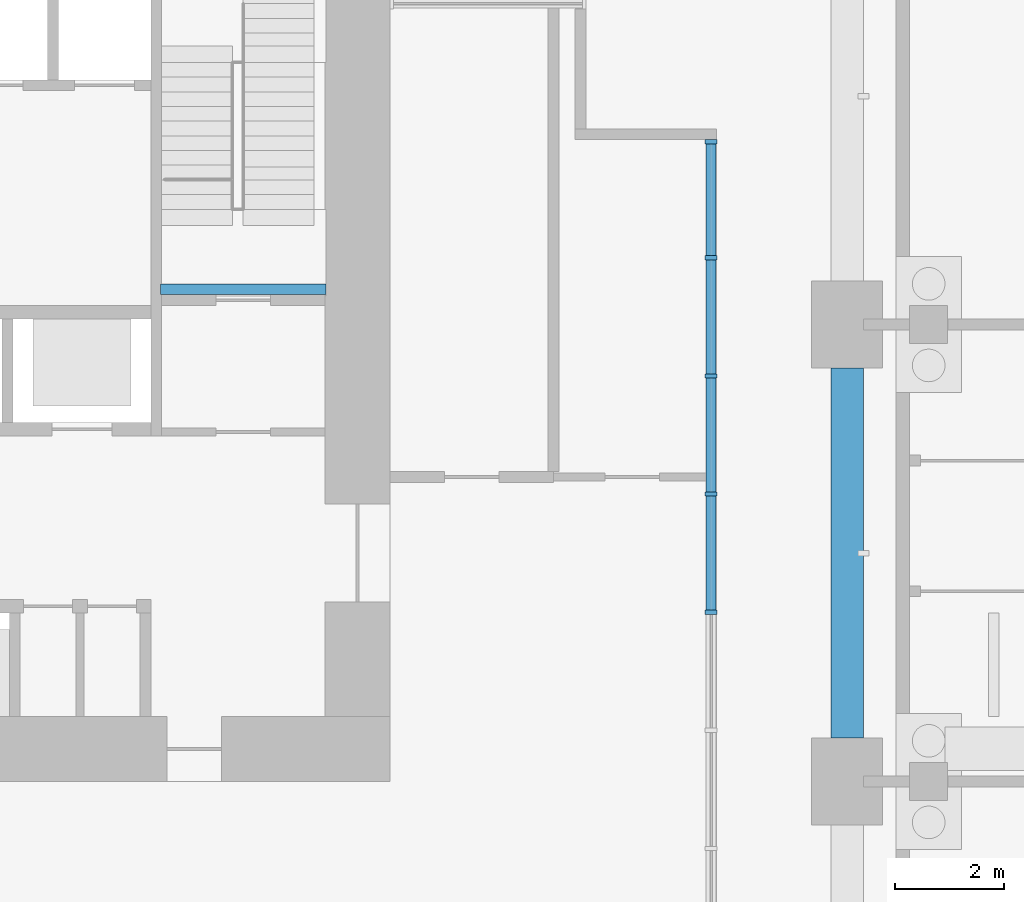
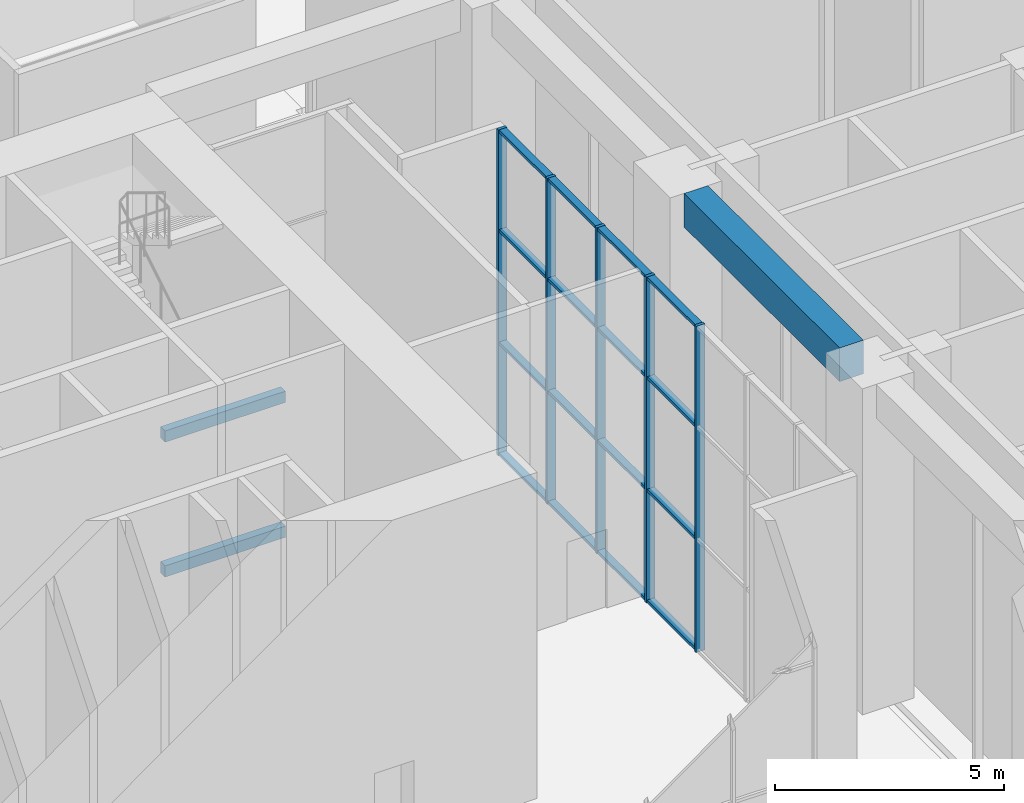
# One storey, part 8 of 46: 21 members, 3 beams, 1 element without a shape of its own.
"""IFC4 building model written with IfcOpenShell, lengths in metres."""

import ifcopenshell
import ifcopenshell.guid

model = None  # the IFC model being written
_history = None  # IfcOwnerHistory: only IFC2X3 demands one
_inside = {}  # id of a spatial element -> (the spatial element, [elements in it])
_under = {}  # id of a project, library or spatial element -> (it, [spatial elements below it])
_declared = {}  # id of a project -> (the project, [libraries it declares])
_typed = {}  # id of a type object -> (the type object, [elements of that type])
_made_of = {}  # id of a material, layer set ... -> (it, [elements and type objects made of it])


def new_model(schema):
    """Start an empty IFC model of exactly this schema.

    Asked for "IFC4X3", IfcOpenShell would pick the latest addendum, in which some entities
    have other attributes; the version numbers below select the first issue.
    IFC2X3 requires an IfcOwnerHistory on every rooted entity: one is made here for all.
    """
    global model, _history
    if schema == "IFC4X3":
        model = ifcopenshell.file(schema_version=(4, 3, 0, 0))
    else:
        model = ifcopenshell.file(schema=schema)
    _inside.clear()
    _under.clear()
    _declared.clear()
    _typed.clear()
    _made_of.clear()
    _history = None
    if model.schema == "IFC2X3":
        org = make("IfcOrganization", Name="unknown")
        user = make(
            "IfcPersonAndOrganization",
            ThePerson=make("IfcPerson", FamilyName="unknown"),
            TheOrganization=org,
        )
        app = make(
            "IfcApplication",
            ApplicationDeveloper=org,
            Version="unknown",
            ApplicationFullName="unknown",
            ApplicationIdentifier="unknown",
        )
        _history = make(
            "IfcOwnerHistory",
            OwningUser=user,
            OwningApplication=app,
            ChangeAction="ADDED",
            CreationDate=0,
        )
    return model


def make(cls, **values):
    """One entity of the class cls with the attributes given. An attribute that is None is left unset."""
    return model.create_entity(
        cls, **{name: value for name, value in values.items() if value is not None}
    )


def rooted(cls, **values):
    """An entity with a GlobalId (a new one), such as an element, a storey or a relation."""
    return make(cls, GlobalId=ifcopenshell.guid.new(), OwnerHistory=_history, **values)


def si_unit(unit_type, name, prefix=None):
    """IfcSIUnit, for example si_unit("LENGTHUNIT", "METRE", prefix="MILLI")."""
    return make("IfcSIUnit", UnitType=unit_type, Prefix=prefix, Name=name)


def assignment(units):
    """IfcUnitAssignment: the units of a project."""
    return None if units is None else make("IfcUnitAssignment", Units=units)


def point(xyz):
    """IfcCartesianPoint."""
    return None if xyz is None else make("IfcCartesianPoint", Coordinates=xyz)


def direction(xyz):
    """IfcDirection."""
    return None if xyz is None else make("IfcDirection", DirectionRatios=xyz)


def frame(location, z_axis=None, x_axis=None):
    """IfcAxis2Placement3D, a coordinate frame: its origin and axes. An axis left out is left unset."""
    return make(
        "IfcAxis2Placement3D",
        Location=point(location),
        Axis=direction(z_axis),
        RefDirection=direction(x_axis),
    )


def frame_2d(location, x_axis=None):
    """IfcAxis2Placement2D, a coordinate frame in the plane: its origin and x axis."""
    return make(
        "IfcAxis2Placement2D", Location=point(location), RefDirection=direction(x_axis)
    )


def origin():
    """The frame at (0, 0, 0) with its axes left unset."""
    return frame((0.0, 0.0, 0.0))


def origin_2d():
    """The frame at (0, 0) in the plane with its x axis left unset."""
    return frame_2d((0.0, 0.0))


def place(relative_to, where):
    """IfcLocalPlacement: puts the frame where relative to a parent placement (None: the world)."""
    return make(
        "IfcLocalPlacement", PlacementRelTo=relative_to, RelativePlacement=where
    )


def context(
    kind, dimensions, precision=None, world=None, true_north=None, identifier=None
):
    """IfcGeometricRepresentationContext, for example the 3D "Model" context."""
    return make(
        "IfcGeometricRepresentationContext",
        ContextIdentifier=identifier,
        ContextType=kind,
        CoordinateSpaceDimension=dimensions,
        Precision=precision,
        WorldCoordinateSystem=world,
        TrueNorth=true_north,
    )


def subcontext(parent, identifier, kind, view, scale=None):
    """IfcGeometricRepresentationSubContext, for example "Body" below "Model"."""
    return make(
        "IfcGeometricRepresentationSubContext",
        ContextIdentifier=identifier,
        ContextType=kind,
        ParentContext=parent,
        TargetScale=scale,
        TargetView=view,
    )


def project(units=None, contexts=None):
    """IfcProject with its units and contexts."""
    return rooted(
        "IfcProject",
        Name="project",
        RepresentationContexts=contexts,
        UnitsInContext=assignment(units),
    )


def spatial(cls, under=None, at=None, **own):
    """A site, building, storey or space (cls), placed at a placement, below another one or the project."""
    s = rooted(cls, ObjectPlacement=at, **own)
    if under is not None:
        _under.setdefault(under.id(), (under, []))[1].append(s)
    return s


def profile(cls, at=None, kind="AREA", **sizes):
    """A parametric profile (cls). Its sizes go by their IFC names, for example OverallWidth=200.0."""
    return make(cls, ProfileType=kind, Position=at, **sizes)


def rectangle(**sizes):
    """IfcRectangleProfileDef."""
    return profile("IfcRectangleProfileDef", **sizes)


def extrude(swept, where, along, depth):
    """IfcExtrudedAreaSolid: the profile swept, set in the frame where, extruded along a direction by depth."""
    return make(
        "IfcExtrudedAreaSolid",
        SweptArea=swept,
        Position=where,
        ExtrudedDirection=direction(along),
        Depth=depth,
    )


def shape(context_of_items, identifier, shape_type, items):
    """IfcShapeRepresentation: the items that make up one representation, for example the "Body"."""
    return make(
        "IfcShapeRepresentation",
        ContextOfItems=context_of_items,
        RepresentationIdentifier=identifier,
        RepresentationType=shape_type,
        Items=items,
    )


def material(Name=None, Category=None):
    """IfcMaterial."""
    return make("IfcMaterial", Name=Name, Category=Category)


def material_profile(
    of_material, cross_section, Name=None, Category=None, Priority=None
):
    """IfcMaterialProfile: a cross section and its material."""
    return make(
        "IfcMaterialProfile",
        Name=Name,
        Material=of_material,
        Profile=cross_section,
        Priority=Priority,
        Category=Category,
    )


def profile_set(profiles, Name=None, composite=None):
    """IfcMaterialProfileSet."""
    return make(
        "IfcMaterialProfileSet",
        Name=Name,
        MaterialProfiles=profiles,
        CompositeProfile=composite,
    )


def made_of(thing, what):
    """Note that an element or type object is made of a material, layer set ...; save() writes the relation."""
    if what is not None:
        _made_of.setdefault(what.id(), (what, []))[1].append(thing)
    return thing


def type_object(cls, material=None, **own):
    """A type object (cls), such as IfcWallType, which elements share."""
    return made_of(rooted(cls, **own), material)


def element(
    cls,
    number,
    at=None,
    inside=None,
    cuts=None,
    type_object=None,
    material=None,
    context=None,
    identifier="Body",
    shape_type=None,
    held_by="IfcProductDefinitionShape",
    body=None,
    shapes=None,
    **own,
):
    """One element of the class cls, such as IfcWall. Its Tag is "e" and its number.

    at: its placement. inside: the storey or other place that contains it. cuts: it is an
    opening in that element (IfcRelVoidsElement). A single representation is given by context,
    identifier, shape_type and body (its items); several are given by shapes. held_by: the class
    of the entity that holds the representations. save() writes the other relations.
    """
    e = rooted(cls, Tag="e%d" % number, ObjectPlacement=at, **own)
    if body is not None:
        shapes = [shape(context, identifier, shape_type, body)]
    if shapes is not None:
        e.Representation = make(held_by, Representations=shapes)
    if inside is not None:
        _inside.setdefault(inside.id(), (inside, []))[1].append(e)
    if cuts is not None:
        rooted(
            "IfcRelVoidsElement", RelatingBuildingElement=cuts, RelatedOpeningElement=e
        )
    if type_object is not None:
        _typed.setdefault(type_object.id(), (type_object, []))[1].append(e)
    return made_of(e, material)


def aggregate(whole, parts):
    """IfcRelAggregates: a whole, such as a stair, and the parts it consists of."""
    return rooted("IfcRelAggregates", RelatingObject=whole, RelatedObjects=parts)


def save(model, path):
    """Write the relations noted so far, then the file.

    IfcRelAggregates (storeys below a building ...), IfcRelContainedInSpatialStructure (elements
    in a storey), IfcRelDefinesByType, IfcRelAssociatesMaterial and IfcRelDeclares: one each for
    every whole, place, type object, material and project.
    """
    for whole, parts in _under.values():
        aggregate(whole, parts)
    for where, things in _inside.values():
        rooted(
            "IfcRelContainedInSpatialStructure",
            RelatedElements=things,
            RelatingStructure=where,
        )
    for kind, things in _typed.values():
        rooted("IfcRelDefinesByType", RelatedObjects=things, RelatingType=kind)
    for what, things in _made_of.values():
        rooted("IfcRelAssociatesMaterial", RelatedObjects=things, RelatingMaterial=what)
    for by, libraries in _declared.values():
        rooted("IfcRelDeclares", RelatingContext=by, RelatedDefinitions=libraries)
    model.write(path)


model = new_model("IFC4")

# Units and contexts
model_context = context("Model", 3, precision=1e-05, world=origin(), true_north=direction((0.0, 1.0)))
body_context = subcontext(model_context, "Body", "Model", "MODEL_VIEW")
ifc_project = project(units=[si_unit("LENGTHUNIT", "METRE"), si_unit("AREAUNIT", "SQUARE_METRE"), si_unit("VOLUMEUNIT", "CUBIC_METRE"), si_unit("PLANEANGLEUNIT", "RADIAN"), si_unit("MASSUNIT", "GRAM", prefix="KILO")], contexts=[model_context])

# Site, building, storey
site_placement = place(None, origin())
site = spatial("IfcSite", under=ifc_project, at=site_placement, CompositionType="ELEMENT")
building_placement = place(site_placement, origin())
building = spatial("IfcBuilding", under=site, at=building_placement, Name="Vermilion Gate Residences", CompositionType="ELEMENT")
storey_placement = place(building_placement, origin())
storey = spatial("IfcBuildingStorey", under=building, at=storey_placement, Name="L00", CompositionType="ELEMENT", Elevation=0.0)

# Curtain wall, members
ifc_material_1 = material(Name="Aluminium and glass", Category="aluminium")
curtain_wall_type = type_object("IfcCurtainWallType", Name="LOBBY ENTRANCE GLAZING CURTAIN WALL", PredefinedType="NOTDEFINED", material=ifc_material_1)
curtain_wall_placement = place(storey_placement, origin())
curtain_wall = element("IfcCurtainWall", 1, at=curtain_wall_placement, inside=storey, type_object=curtain_wall_type, Name="Lobby Entrance Glazing 120", PredefinedType="NOTDEFINED")
ifc_material_2 = material(Name="Aluminium", Category="aluminium")
ifc_material_profile_1 = material_profile(ifc_material_2, rectangle(XDim=0.219970703125, YDim=0.080078125, at=origin_2d()), Name="MULLION 80 X 220")
ifc_profile_set_1 = profile_set([ifc_material_profile_1], Name="Aluminium")
member_type_1 = type_object("IfcMemberType", Name="LOBBY ENTRANCE GLAZING MULLION 80 X 220", PredefinedType="MULLION", material=ifc_profile_set_1)
member_1_placement = place(storey_placement, frame((64.699951171875, 11.514404296875, 0.0), z_axis=(0.0, 0.0, 1.0), x_axis=(-1.0, 0.0, 0.0)))
member_1 = element("IfcMember", 2, at=member_1_placement, type_object=member_type_1, Name="ECW5 mullion 4", PredefinedType="MULLION", context=body_context, shape_type="SweptSolid", body=[
    extrude(rectangle(XDim=0.219970703125, YDim=0.080078125, at=origin_2d()), origin(), (0.0, 0.0, 1.0), 8.699951171875),
])
member_2_placement = place(storey_placement, frame((64.699951171875, 13.685791015625, 0.0), z_axis=(0.0, 0.0, 1.0), x_axis=(-1.0, 0.0, 0.0)))
member_2 = element("IfcMember", 3, at=member_2_placement, type_object=member_type_1, Name="ECW5 mullion 5", PredefinedType="MULLION", context=body_context, shape_type="SweptSolid", body=[
    extrude(rectangle(XDim=0.219970703125, YDim=0.080078125, at=origin_2d()), origin(), (0.0, 0.0, 1.0), 8.699951171875),
])
member_3_placement = place(storey_placement, frame((64.699951171875, 15.857177734375, 0.0), z_axis=(0.0, 0.0, 1.0), x_axis=(-1.0, 0.0, 0.0)))
member_3 = element("IfcMember", 4, at=member_3_placement, type_object=member_type_1, Name="ECW5 mullion 6", PredefinedType="MULLION", context=body_context, shape_type="SweptSolid", body=[
    extrude(rectangle(XDim=0.219970703125, YDim=0.080078125, at=origin_2d()), origin(), (0.0, 0.0, 1.0), 8.699951171875),
])
member_4_placement = place(storey_placement, frame((64.699951171875, 18.028564453125, 0.0), z_axis=(0.0, 0.0, 1.0), x_axis=(-1.0, 0.0, 0.0)))
member_4 = element("IfcMember", 5, at=member_4_placement, type_object=member_type_1, Name="ECW5 mullion 7", PredefinedType="MULLION", context=body_context, shape_type="SweptSolid", body=[
    extrude(rectangle(XDim=0.219970703125, YDim=0.080078125, at=origin_2d()), origin(), (0.0, 0.0, 1.0), 8.699951171875),
])
member_5_placement = place(storey_placement, frame((64.699951171875, 20.159912109375, 0.0), z_axis=(0.0, 0.0, 1.0), x_axis=(-1.0, 0.0, 0.0)))
member_5 = element("IfcMember", 6, at=member_5_placement, type_object=member_type_1, Name="ECW5 mullion 8", PredefinedType="MULLION", context=body_context, shape_type="SweptSolid", body=[
    extrude(rectangle(XDim=0.219970703125, YDim=0.080078125, at=origin_2d()), origin(), (0.0, 0.0, 1.0), 8.699951171875),
])
ifc_material_3 = material(Name="Aluminium", Category="aluminium")
ifc_material_profile_2 = material_profile(ifc_material_3, rectangle(XDim=0.179931640625, YDim=0.080078125, at=origin_2d()), Name="TRANSOM 80 X 180")
ifc_profile_set_2 = profile_set([ifc_material_profile_2], Name="Aluminium")
member_type_2 = type_object("IfcMemberType", Name="LOBBY ENTRANCE GLAZING TRANSOM 80 X 180", PredefinedType="MULLION", material=ifc_profile_set_2)
member_6_placement = place(storey_placement, frame((64.699951171875, 11.55419921875, 0.0400390625), z_axis=(0.0, 1.0, 0.0), x_axis=(-1.0, 0.0, 0.0)))
member_6 = element("IfcMember", 7, at=member_6_placement, type_object=member_type_2, Name="ECW5 transom 4.1", PredefinedType="MULLION", context=body_context, shape_type="SweptSolid", body=[
    extrude(rectangle(XDim=0.179931640625, YDim=0.080078125, at=origin_2d()), origin(), (0.0, 0.0, 1.0), 2.091552734375),
])
member_7_placement = place(storey_placement, frame((64.699951171875, 11.55419921875, 3.0), z_axis=(0.0, 1.0, 0.0), x_axis=(-1.0, 0.0, 0.0)))
member_7 = element("IfcMember", 8, at=member_7_placement, type_object=member_type_2, Name="ECW5 transom 4.2", PredefinedType="MULLION", context=body_context, shape_type="SweptSolid", body=[
    extrude(rectangle(XDim=0.179931640625, YDim=0.080078125, at=origin_2d()), origin(), (0.0, 0.0, 1.0), 2.091552734375),
])
member_8_placement = place(storey_placement, frame((64.699951171875, 11.55419921875, 6.0), z_axis=(0.0, 1.0, 0.0), x_axis=(-1.0, 0.0, 0.0)))
member_8 = element("IfcMember", 9, at=member_8_placement, type_object=member_type_2, Name="ECW5 transom 4.3", PredefinedType="MULLION", context=body_context, shape_type="SweptSolid", body=[
    extrude(rectangle(XDim=0.179931640625, YDim=0.080078125, at=origin_2d()), origin(), (0.0, 0.0, 1.0), 2.091552734375),
])
member_9_placement = place(storey_placement, frame((64.699951171875, 11.55419921875, 8.659912109375), z_axis=(0.0, 1.0, 0.0), x_axis=(-1.0, 0.0, 0.0)))
member_9 = element("IfcMember", 10, at=member_9_placement, type_object=member_type_2, Name="ECW5 transom 4.4", PredefinedType="MULLION", context=body_context, shape_type="SweptSolid", body=[
    extrude(rectangle(XDim=0.179931640625, YDim=0.080078125, at=origin_2d()), origin(), (0.0, 0.0, 1.0), 2.091552734375),
])
member_10_placement = place(storey_placement, frame((64.699951171875, 13.725830078125, 0.0400390625), z_axis=(0.0, 1.0, 0.0), x_axis=(-1.0, 0.0, 0.0)))
member_10 = element("IfcMember", 11, at=member_10_placement, type_object=member_type_2, Name="ECW5 transom 5.1", PredefinedType="MULLION", context=body_context, shape_type="SweptSolid", body=[
    extrude(rectangle(XDim=0.179931640625, YDim=0.080078125, at=origin_2d()), origin(), (0.0, 0.0, 1.0), 2.09130859375),
])
member_11_placement = place(storey_placement, frame((64.699951171875, 13.725830078125, 3.0), z_axis=(0.0, 1.0, 0.0), x_axis=(-1.0, 0.0, 0.0)))
member_11 = element("IfcMember", 12, at=member_11_placement, type_object=member_type_2, Name="ECW5 transom 5.2", PredefinedType="MULLION", context=body_context, shape_type="SweptSolid", body=[
    extrude(rectangle(XDim=0.179931640625, YDim=0.080078125, at=origin_2d()), origin(), (0.0, 0.0, 1.0), 2.09130859375),
])
member_12_placement = place(storey_placement, frame((64.699951171875, 13.725830078125, 6.0), z_axis=(0.0, 1.0, 0.0), x_axis=(-1.0, 0.0, 0.0)))
member_12 = element("IfcMember", 13, at=member_12_placement, type_object=member_type_2, Name="ECW5 transom 5.3", PredefinedType="MULLION", context=body_context, shape_type="SweptSolid", body=[
    extrude(rectangle(XDim=0.179931640625, YDim=0.080078125, at=origin_2d()), origin(), (0.0, 0.0, 1.0), 2.09130859375),
])
member_13_placement = place(storey_placement, frame((64.699951171875, 13.725830078125, 8.659912109375), z_axis=(0.0, 1.0, 0.0), x_axis=(-1.0, 0.0, 0.0)))
member_13 = element("IfcMember", 14, at=member_13_placement, type_object=member_type_2, Name="ECW5 transom 5.4", PredefinedType="MULLION", context=body_context, shape_type="SweptSolid", body=[
    extrude(rectangle(XDim=0.179931640625, YDim=0.080078125, at=origin_2d()), origin(), (0.0, 0.0, 1.0), 2.09130859375),
])
member_14_placement = place(storey_placement, frame((64.699951171875, 15.897216796875, 0.0400390625), z_axis=(0.0, 1.0, 0.0), x_axis=(-1.0, 0.0, 0.0)))
member_14 = element("IfcMember", 15, at=member_14_placement, type_object=member_type_2, Name="ECW5 transom 6.1", PredefinedType="MULLION", context=body_context, shape_type="SweptSolid", body=[
    extrude(rectangle(XDim=0.179931640625, YDim=0.080078125, at=origin_2d()), origin(), (0.0, 0.0, 1.0), 2.09130859375),
])
member_15_placement = place(storey_placement, frame((64.699951171875, 15.897216796875, 3.0), z_axis=(0.0, 1.0, 0.0), x_axis=(-1.0, 0.0, 0.0)))
member_15 = element("IfcMember", 16, at=member_15_placement, type_object=member_type_2, Name="ECW5 transom 6.2", PredefinedType="MULLION", context=body_context, shape_type="SweptSolid", body=[
    extrude(rectangle(XDim=0.179931640625, YDim=0.080078125, at=origin_2d()), origin(), (0.0, 0.0, 1.0), 2.09130859375),
])
member_16_placement = place(storey_placement, frame((64.699951171875, 15.897216796875, 6.0), z_axis=(0.0, 1.0, 0.0), x_axis=(-1.0, 0.0, 0.0)))
member_16 = element("IfcMember", 17, at=member_16_placement, type_object=member_type_2, Name="ECW5 transom 6.3", PredefinedType="MULLION", context=body_context, shape_type="SweptSolid", body=[
    extrude(rectangle(XDim=0.179931640625, YDim=0.080078125, at=origin_2d()), origin(), (0.0, 0.0, 1.0), 2.09130859375),
])
member_17_placement = place(storey_placement, frame((64.699951171875, 15.897216796875, 8.659912109375), z_axis=(0.0, 1.0, 0.0), x_axis=(-1.0, 0.0, 0.0)))
member_17 = element("IfcMember", 18, at=member_17_placement, type_object=member_type_2, Name="ECW5 transom 6.4", PredefinedType="MULLION", context=body_context, shape_type="SweptSolid", body=[
    extrude(rectangle(XDim=0.179931640625, YDim=0.080078125, at=origin_2d()), origin(), (0.0, 0.0, 1.0), 2.09130859375),
])
member_18_placement = place(storey_placement, frame((64.699951171875, 18.068603515625, 0.0400390625), z_axis=(0.0, 1.0, 0.0), x_axis=(-1.0, 0.0, 0.0)))
member_18 = element("IfcMember", 19, at=member_18_placement, type_object=member_type_2, Name="ECW5 transom 7.1", PredefinedType="MULLION", context=body_context, shape_type="SweptSolid", body=[
    extrude(rectangle(XDim=0.179931640625, YDim=0.080078125, at=origin_2d()), origin(), (0.0, 0.0, 1.0), 2.051513671875),
])
member_19_placement = place(storey_placement, frame((64.699951171875, 18.068603515625, 3.0), z_axis=(0.0, 1.0, 0.0), x_axis=(-1.0, 0.0, 0.0)))
member_19 = element("IfcMember", 20, at=member_19_placement, type_object=member_type_2, Name="ECW5 transom 7.2", PredefinedType="MULLION", context=body_context, shape_type="SweptSolid", body=[
    extrude(rectangle(XDim=0.179931640625, YDim=0.080078125, at=origin_2d()), origin(), (0.0, 0.0, 1.0), 2.051513671875),
])
member_20_placement = place(storey_placement, frame((64.699951171875, 18.068603515625, 6.0), z_axis=(0.0, 1.0, 0.0), x_axis=(-1.0, 0.0, 0.0)))
member_20 = element("IfcMember", 21, at=member_20_placement, type_object=member_type_2, Name="ECW5 transom 7.3", PredefinedType="MULLION", context=body_context, shape_type="SweptSolid", body=[
    extrude(rectangle(XDim=0.179931640625, YDim=0.080078125, at=origin_2d()), origin(), (0.0, 0.0, 1.0), 2.051513671875),
])
member_21_placement = place(storey_placement, frame((64.699951171875, 18.068603515625, 8.659912109375), z_axis=(0.0, 1.0, 0.0), x_axis=(-1.0, 0.0, 0.0)))
member_21 = element("IfcMember", 22, at=member_21_placement, type_object=member_type_2, Name="ECW5 transom 7.4", PredefinedType="MULLION", context=body_context, shape_type="SweptSolid", body=[
    extrude(rectangle(XDim=0.179931640625, YDim=0.080078125, at=origin_2d()), origin(), (0.0, 0.0, 1.0), 2.051513671875),
])
aggregate(curtain_wall, [member_1, member_2, member_3, member_4, member_5, member_6, member_7, member_8, member_9, member_10, member_11, member_12, member_13, member_14, member_15, member_16, member_17, member_18, member_19, member_20, member_21])

# Beams
ifc_material_4 = material(Name="Concrete C60 red-oxide pigmented", Category="concrete")
ifc_material_profile_3 = material_profile(ifc_material_4, rectangle(XDim=0.60009765625, YDim=0.89990234375, at=origin_2d()), Name="RC-600x900")
ifc_profile_set_3 = profile_set([ifc_material_profile_3], Name="Concrete C60 red-oxide pigmented")
beam_type_1 = type_object("IfcBeamType", Name="RC EDGE BEAM 600 X 900 C60", PredefinedType="BEAM", material=ifc_profile_set_3)
beam_placement = place(storey_placement, frame((67.199951171875, 9.199951171875, 8.25), z_axis=(0.0, 1.0, 0.0), x_axis=(-1.0, 0.0, 0.0)))
element("IfcBeam", 23, at=beam_placement, inside=storey, type_object=beam_type_1, Name="Edge beam L00 18", PredefinedType="BEAM", context=body_context, shape_type="SweptSolid", body=[
    extrude(rectangle(XDim=0.60009765625, YDim=0.89990234375, at=origin_2d()), origin(), (0.0, 0.0, 1.0), 6.800048828125),
])
ifc_material_5 = material(Name="Concrete C50", Category="concrete")
ifc_material_profile_4 = material_profile(ifc_material_5, rectangle(XDim=0.199951171875, YDim=0.300048828125, at=origin_2d()), Name="RC-200x300")
ifc_profile_set_4 = profile_set([ifc_material_profile_4], Name="Concrete C50")
beam_type_2 = type_object("IfcBeamType", Name="RC LANDING BEAM 200 X 300 C50", PredefinedType="BEAM", material=ifc_profile_set_4)
for number, where, z_axis, x_axis, name in (
    (24, (54.580078125, 17.449951171875, 2.1044921875), (1.0, 0.0, 0.0), (0.0, 1.0, 0.0), "Landing beam STA2-00 1"),
    (25, (54.580078125, 17.449951171875, 5.70458984375), (1.0, 0.0, 0.0), (0.0, 1.0, 0.0), "Landing beam STA2-00 3"),
):
    element("IfcBeam", number, at=place(storey_placement, frame(where, z_axis=z_axis, x_axis=x_axis)), inside=storey, type_object=beam_type_2, Name=name, PredefinedType="BEAM", context=body_context, shape_type="SweptSolid", body=[
        extrude(rectangle(XDim=0.199951171875, YDim=0.300048828125, at=origin_2d()), origin(), (0.0, 0.0, 1.0), 3.0400390625),
    ])

save(model, "model.ifc")
